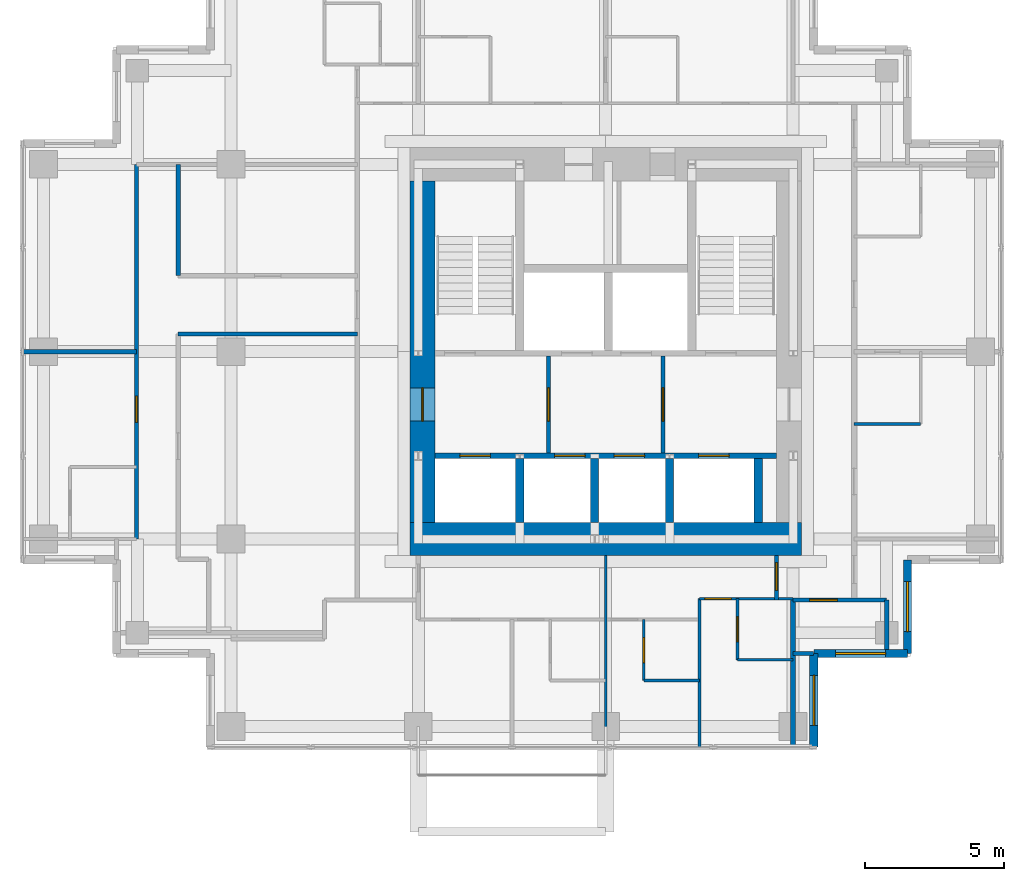
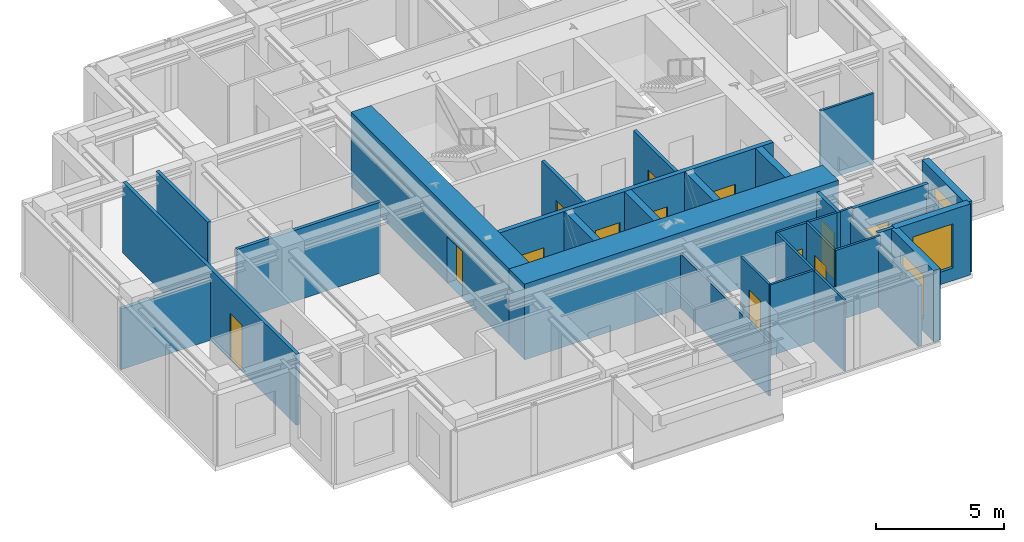
# One storey, part 4 of 7: 29 walls, 13 doors, 3 windows, 16 openings.
"""IFC4 building model written with IfcOpenShell, lengths in metres."""

from ifc_helpers import new_model, si_unit, direction, frame, frame_2d, origin, place, context, subcontext, project, spatial, rectangle, extrude, material, layer, layer_set, type_object, element, fill, save


model = new_model("IFC4")

# Units and contexts
model_context = context("Model", 3, precision=1e-05, world=origin(), true_north=direction((0.0, 1.0)))
body_context = subcontext(model_context, "Body", "Model", "MODEL_VIEW")
ifc_project = project(units=[si_unit("LENGTHUNIT", "METRE"), si_unit("AREAUNIT", "SQUARE_METRE"), si_unit("VOLUMEUNIT", "CUBIC_METRE"), si_unit("PLANEANGLEUNIT", "RADIAN"), si_unit("MASSUNIT", "GRAM", prefix="KILO")], contexts=[model_context])

# Site, building, storey
site_placement = place(None, origin())
site = spatial("IfcSite", under=ifc_project, at=site_placement, CompositionType="ELEMENT")
building_placement = place(site_placement, origin())
building = spatial("IfcBuilding", under=site, at=building_placement, Name="Nyansa Garden Tower", CompositionType="ELEMENT")
storey_placement = place(building_placement, frame((0.0, 0.0, 236.699951171875)))
storey = spatial("IfcBuildingStorey", under=building, at=storey_placement, Name="L64", CompositionType="ELEMENT", Elevation=236.699951171875)

# Wall
ifc_material_1 = material(Name="Dense blockwork, plastered both sides, 55 dB", Category="masonry")
ifc_layer_1 = layer(ifc_material_1, 0.175048828125)
ifc_layer_set_1 = layer_set([ifc_layer_1], Name="Acoustic party wall PW175")
wall_type_1 = type_object("IfcWallType", Name="Acoustic party wall PW175", PredefinedType="PARTITIONING", material=ifc_layer_set_1)
wall_1_placement = place(storey_placement, frame((27.0, 6.01611328125, 0.0), z_axis=(0.0, 0.0, 1.0), x_axis=(0.0, 1.0, 0.0)))
element("IfcWall", 1, at=wall_1_placement, inside=storey, type_object=wall_type_1, Name="Party wall", PredefinedType="PARTITIONING", context=body_context, shape_type="SweptSolid", body=[
    extrude(rectangle(XDim=5.333984375, YDim=0.175048828125, at=frame_2d((2.6669921875, 0.0))), origin(), (0.0, 0.0, 1.0), 2.876953125),
])

# Wall, openings, doors
ifc_material_2 = material(Name="Concrete C70/85", Category="concrete")
ifc_layer_2 = layer(ifc_material_2, 0.199951171875)
ifc_layer_set_2 = layer_set([ifc_layer_2], Name="Core inner wall CI200")
wall_type_2 = type_object("IfcWallType", Name="Core inner wall CI200", PredefinedType="SHEAR", material=ifc_layer_set_2)
wall_2_placement = place(storey_placement, frame((14.10009765625, 16.5, 0.0), z_axis=(0.0, 0.0, 1.0), x_axis=(1.0, 0.0, 0.0)))
wall_2 = element("IfcWall", 2, at=wall_2_placement, inside=storey, type_object=wall_type_2, Name="Core inner wall L64", PredefinedType="SHEAR", context=body_context, shape_type="SweptSolid", body=[
    extrude(rectangle(XDim=12.2998046875, YDim=0.199951171875, at=frame_2d((6.14990234375, 0.0))), origin(), (0.0, 0.0, 1.0), 3.60009765625),
])
opening_1_placement = place(wall_2_placement, frame((0.89990234375, 0.0, 0.0)))
opening_1 = element("IfcOpeningElement", 3, at=opening_1_placement, cuts=wall_2, Name="Opening LD-F", PredefinedType="OPENING", context=body_context, shape_type="SweptSolid", body=[
    extrude(rectangle(XDim=1.10009765625, YDim=2.199951171875, at=frame_2d((0.550048828125, 1.10009765625))), frame((0.0, 0.10986328125, 0.0), z_axis=(0.0, -1.0, 0.0), x_axis=(1.0, 0.0, 0.0)), (0.0, 0.0, 1.0), 0.219970703125),
])
opening_2_placement = place(wall_2_placement, frame((4.31005859375, 0.0, 0.0)))
opening_2 = element("IfcOpeningElement", 4, at=opening_2_placement, cuts=wall_2, Name="Opening LD-B", PredefinedType="OPENING", context=body_context, shape_type="SweptSolid", body=[
    extrude(rectangle(XDim=1.10009765625, YDim=2.199951171875, at=frame_2d((0.550048828125, 1.10009765625))), frame((0.0, 0.10986328125, 0.0), z_axis=(0.0, -1.0, 0.0), x_axis=(1.0, 0.0, 0.0)), (0.0, 0.0, 1.0), 0.219970703125),
])
opening_3_placement = place(wall_2_placement, frame((6.449951171875, 0.0, 0.0)))
opening_3 = element("IfcOpeningElement", 5, at=opening_3_placement, cuts=wall_2, Name="Opening LD-B", PredefinedType="OPENING", context=body_context, shape_type="SweptSolid", body=[
    extrude(rectangle(XDim=1.10009765625, YDim=2.199951171875, at=frame_2d((0.550048828125, 1.10009765625))), frame((0.0, 0.10986328125, 0.0), z_axis=(0.0, -1.0, 0.0), x_axis=(1.0, 0.0, 0.0)), (0.0, 0.0, 1.0), 0.219970703125),
])
opening_4_placement = place(wall_2_placement, frame((9.5, 0.0, 0.0)))
opening_4 = element("IfcOpeningElement", 6, at=opening_4_placement, cuts=wall_2, Name="Opening LD-F", PredefinedType="OPENING", context=body_context, shape_type="SweptSolid", body=[
    extrude(rectangle(XDim=1.10009765625, YDim=2.199951171875, at=frame_2d((0.550048828125, 1.10009765625))), frame((0.0, 0.10986328125, 0.0), z_axis=(0.0, -1.0, 0.0), x_axis=(1.0, 0.0, 0.0)), (0.0, 0.0, 1.0), 0.219970703125),
])
ifc_material_3 = material(Name="Stainless steel centre-opening landing door of the high-rise lift, E 120", Category="steel")
door_type_1 = type_object("IfcDoorType", Name="Lift landing door LD-B 1100x2200", OperationType="DOUBLE_DOOR_SLIDING", PredefinedType="DOOR", material=ifc_material_3)
door_1_placement = place(opening_2_placement, origin())
door_1 = element("IfcDoor", 7, at=door_1_placement, inside=storey, type_object=door_type_1, Name="Landing door B1", OperationType="DOUBLE_DOOR_SLIDING", OverallHeight=2.199951171875, OverallWidth=1.10009765625, PredefinedType="DOOR", context=body_context, shape_type="SweptSolid", body=[
    extrude(rectangle(XDim=1.10009765625, YDim=2.199951171875, at=frame_2d((0.550048828125, 1.10009765625))), frame((0.0, 0.02490234375, 0.0), z_axis=(0.0, -1.0, 0.0), x_axis=(1.0, 0.0, 0.0)), (0.0, 0.0, 1.0), 0.050048828125),
])
fill(opening_2, door_1)
door_2_placement = place(opening_3_placement, origin())
door_2 = element("IfcDoor", 8, at=door_2_placement, inside=storey, type_object=door_type_1, Name="Landing door B2", OperationType="DOUBLE_DOOR_SLIDING", OverallHeight=2.199951171875, OverallWidth=1.10009765625, PredefinedType="DOOR", context=body_context, shape_type="SweptSolid", body=[
    extrude(rectangle(XDim=1.10009765625, YDim=2.199951171875, at=frame_2d((0.550048828125, 1.10009765625))), frame((0.0, 0.02490234375, 0.0), z_axis=(0.0, -1.0, 0.0), x_axis=(1.0, 0.0, 0.0)), (0.0, 0.0, 1.0), 0.050048828125),
])
fill(opening_3, door_2)
ifc_material_4 = material(Name="Stainless steel centre-opening landing door of the firefighting lift, EN 81-72, E 120", Category="steel")
door_type_2 = type_object("IfcDoorType", Name="Lift landing door LD-F 1100x2200", OperationType="DOUBLE_DOOR_SLIDING", PredefinedType="DOOR", material=ifc_material_4)
door_3_placement = place(opening_1_placement, origin())
door_3 = element("IfcDoor", 9, at=door_3_placement, inside=storey, type_object=door_type_2, Name="Landing door FF1", OperationType="DOUBLE_DOOR_SLIDING", OverallHeight=2.199951171875, OverallWidth=1.10009765625, PredefinedType="DOOR", context=body_context, shape_type="SweptSolid", body=[
    extrude(rectangle(XDim=1.10009765625, YDim=2.199951171875, at=frame_2d((0.550048828125, 1.10009765625))), frame((0.0, 0.02490234375, 0.0), z_axis=(0.0, -1.0, 0.0), x_axis=(1.0, 0.0, 0.0)), (0.0, 0.0, 1.0), 0.050048828125),
])
fill(opening_1, door_3)
door_4_placement = place(opening_4_placement, origin())
door_4 = element("IfcDoor", 10, at=door_4_placement, inside=storey, type_object=door_type_2, Name="Landing door FF2", OperationType="DOUBLE_DOOR_SLIDING", OverallHeight=2.199951171875, OverallWidth=1.10009765625, PredefinedType="DOOR", context=body_context, shape_type="SweptSolid", body=[
    extrude(rectangle(XDim=1.10009765625, YDim=2.199951171875, at=frame_2d((0.550048828125, 1.10009765625))), frame((0.0, 0.02490234375, 0.0), z_axis=(0.0, -1.0, 0.0), x_axis=(1.0, 0.0, 0.0)), (0.0, 0.0, 1.0), 0.050048828125),
])
fill(opening_4, door_4)

# Walls
ifc_material_5 = material(Name="Concrete C70/85", Category="concrete")
ifc_layer_3 = layer(ifc_material_5, 0.300048828125)
ifc_layer_set_3 = layer_set([ifc_layer_3], Name="Core inner wall CI300")
wall_type_3 = type_object("IfcWallType", Name="Core inner wall CI300", PredefinedType="SHEAR", material=ifc_layer_set_3)
for number, where, z_axis, x_axis, name in (
    (11, (17.14990234375, 14.10009765625, 0.0), (0.0, 0.0, 1.0), (0.0, 1.0, 0.0), "Core inner wall L64"),
    (12, (19.85009765625, 14.10009765625, 0.0), (0.0, 0.0, 1.0), (0.0, 1.0, 0.0), "Core inner wall L64"),
    (13, (22.550048828125, 14.10009765625, 0.0), (0.0, 0.0, 1.0), (0.0, 1.0, 0.0), "Core inner wall L64"),
    (14, (25.75, 14.10009765625, 0.0), (0.0, 0.0, 1.0), (0.0, 1.0, 0.0), "Core inner wall L64"),
):
    element("IfcWall", number, at=place(storey_placement, frame(where, z_axis=z_axis, x_axis=x_axis)), inside=storey, type_object=wall_type_3, Name=name, PredefinedType="SHEAR", context=body_context, shape_type="SweptSolid", body=[
        extrude(rectangle(XDim=2.2998046875, YDim=0.300048828125, at=frame_2d((1.14990234375, 0.0))), origin(), (0.0, 0.0, 1.0), 3.60009765625),
    ])
ifc_material_6 = material(Name="Concrete C80/95", Category="concrete")
ifc_layer_4 = layer(ifc_material_6, 1.199951171875)
ifc_layer_set_4 = layer_set([ifc_layer_4], Name="Core wall CW1200")
wall_type_4 = type_object("IfcWallType", Name="Core wall CW1200", PredefinedType="SHEAR", material=ifc_layer_set_4)
wall_3_placement = place(storey_placement, frame((13.199951171875, 13.5, 0.0), z_axis=(0.0, 0.0, 1.0), x_axis=(1.0, 0.0, 0.0)))
element("IfcWall", 15, at=wall_3_placement, inside=storey, type_object=wall_type_4, Name="Core wall S L64", PredefinedType="SHEAR", context=body_context, shape_type="SweptSolid", body=[
    extrude(rectangle(XDim=14.10009765625, YDim=1.199951171875, at=frame_2d((7.050048828125, 0.0))), origin(), (0.0, 0.0, 1.0), 3.60009765625),
])

# Wall, opening, door
ifc_material_7 = material(Name="Concrete C80/95", Category="concrete")
ifc_layer_5 = layer(ifc_material_7, 0.89990234375)
ifc_layer_set_5 = layer_set([ifc_layer_5], Name="Core wall CW900")
wall_type_5 = type_object("IfcWallType", Name="Core wall CW900", PredefinedType="SHEAR", material=ifc_layer_set_5)
wall_4_placement = place(storey_placement, frame((13.64990234375, 26.39990234375, 0.0), z_axis=(0.0, 0.0, 1.0), x_axis=(0.0, -1.0, 0.0)))
wall_4 = element("IfcWall", 16, at=wall_4_placement, inside=storey, type_object=wall_type_5, Name="Core wall W L64", PredefinedType="SHEAR", context=body_context, shape_type="SweptSolid", body=[
    extrude(rectangle(XDim=12.2998046875, YDim=0.89990234375, at=frame_2d((6.14990234375, 0.0))), origin(), (0.0, 0.0, 1.0), 3.60009765625),
])
opening_5_placement = place(wall_4_placement, frame((7.449951171875, 0.0, 0.0)))
opening_5 = element("IfcOpeningElement", 17, at=opening_5_placement, cuts=wall_4, Name="Opening D06", PredefinedType="OPENING", context=body_context, shape_type="SweptSolid", body=[
    extrude(rectangle(XDim=1.199951171875, YDim=2.199951171875, at=frame_2d((0.60009765625, 1.10009765625))), frame((0.0, 0.4599609375, 0.0), z_axis=(0.0, -1.0, 0.0), x_axis=(1.0, 0.0, 0.0)), (0.0, 0.0, 1.0), 0.919921875),
])
ifc_material_8 = material(Name="Steel door, 120 minute fire resisting", Category="steel")
door_type_3 = type_object("IfcDoorType", Name="Lobby door D06 1200x2200", OperationType="DOUBLE_DOOR_SINGLE_SWING", PredefinedType="DOOR", material=ifc_material_8)
door_5_placement = place(opening_5_placement, origin())
door_5 = element("IfcDoor", 18, at=door_5_placement, inside=storey, type_object=door_type_3, Name="Lift lobby door west", OperationType="DOUBLE_DOOR_SINGLE_SWING", OverallHeight=2.199951171875, OverallWidth=1.199951171875, PredefinedType="DOOR", context=body_context, shape_type="SweptSolid", body=[
    extrude(rectangle(XDim=1.199951171875, YDim=2.199951171875, at=frame_2d((0.60009765625, 1.10009765625))), frame((0.0, 0.02490234375, 0.0), z_axis=(0.0, -1.0, 0.0), x_axis=(1.0, 0.0, 0.0)), (0.0, 0.0, 1.0), 0.050048828125),
])
fill(opening_5, door_5)

ifc_material_9 = material(Name="Blockwork, plastered both sides", Category="masonry")
ifc_layer_6 = layer(ifc_material_9, 0.14990234375)
ifc_layer_set_6 = layer_set([ifc_layer_6], Name="Partition PW150")
wall_type_6 = type_object("IfcWallType", Name="Partition PW150", PredefinedType="PARTITIONING", material=ifc_layer_set_6)
wall_5_placement = place(storey_placement, frame((18.18505859375, 16.60009765625, 0.0), z_axis=(0.0, 0.0, 1.0), x_axis=(0.0, 1.0, 0.0)))
wall_5 = element("IfcWall", 19, at=wall_5_placement, inside=storey, type_object=wall_type_6, Name="Partition", PredefinedType="PARTITIONING", context=body_context, shape_type="SweptSolid", body=[
    extrude(rectangle(XDim=3.5, YDim=0.14990234375, at=frame_2d((1.75, 0.0))), origin(), (0.0, 0.0, 1.0), 3.375),
])
opening_6_placement = place(wall_5_placement, frame((1.14990234375, 0.0, 0.0)))
opening_6 = element("IfcOpeningElement", 20, at=opening_6_placement, cuts=wall_5, Name="Opening D06", PredefinedType="OPENING", context=body_context, shape_type="SweptSolid", body=[
    extrude(rectangle(XDim=1.199951171875, YDim=2.199951171875, at=frame_2d((0.60009765625, 1.10009765625))), frame((0.0, 0.0849609375, 0.0), z_axis=(0.0, -1.0, 0.0), x_axis=(1.0, 0.0, 0.0)), (0.0, 0.0, 1.0), 0.169921875),
])
door_6_placement = place(opening_6_placement, origin())
door_6 = element("IfcDoor", 21, at=door_6_placement, inside=storey, type_object=door_type_3, Name="Passenger lift lobby door", OperationType="DOUBLE_DOOR_SINGLE_SWING", OverallHeight=2.199951171875, OverallWidth=1.199951171875, PredefinedType="DOOR", context=body_context, shape_type="SweptSolid", body=[
    extrude(rectangle(XDim=1.199951171875, YDim=2.199951171875, at=frame_2d((0.60009765625, 1.10009765625))), frame((0.0, 0.02490234375, 0.0), z_axis=(0.0, -1.0, 0.0), x_axis=(1.0, 0.0, 0.0)), (0.0, 0.0, 1.0), 0.050048828125),
])
fill(opening_6, door_6)

wall_6_placement = place(storey_placement, frame((22.31494140625, 16.60009765625, 0.0), z_axis=(0.0, 0.0, 1.0), x_axis=(0.0, 1.0, 0.0)))
wall_6 = element("IfcWall", 22, at=wall_6_placement, inside=storey, type_object=wall_type_6, Name="Partition", PredefinedType="PARTITIONING", context=body_context, shape_type="SweptSolid", body=[
    extrude(rectangle(XDim=3.5, YDim=0.14990234375, at=frame_2d((1.75, 0.0))), origin(), (0.0, 0.0, 1.0), 3.375),
])
opening_7_placement = place(wall_6_placement, frame((1.14990234375, 0.0, 0.0)))
opening_7 = element("IfcOpeningElement", 23, at=opening_7_placement, cuts=wall_6, Name="Opening D06", PredefinedType="OPENING", context=body_context, shape_type="SweptSolid", body=[
    extrude(rectangle(XDim=1.199951171875, YDim=2.199951171875, at=frame_2d((0.60009765625, 1.10009765625))), frame((0.0, 0.0849609375, 0.0), z_axis=(0.0, -1.0, 0.0), x_axis=(1.0, 0.0, 0.0)), (0.0, 0.0, 1.0), 0.169921875),
])
door_7_placement = place(opening_7_placement, origin())
door_7 = element("IfcDoor", 24, at=door_7_placement, inside=storey, type_object=door_type_3, Name="Passenger lift lobby door", OperationType="DOUBLE_DOOR_SINGLE_SWING", OverallHeight=2.199951171875, OverallWidth=1.199951171875, PredefinedType="DOOR", context=body_context, shape_type="SweptSolid", body=[
    extrude(rectangle(XDim=1.199951171875, YDim=2.199951171875, at=frame_2d((0.60009765625, 1.10009765625))), frame((0.0, 0.02490234375, 0.0), z_axis=(0.0, -1.0, 0.0), x_axis=(1.0, 0.0, 0.0)), (0.0, 0.0, 1.0), 0.050048828125),
])
fill(opening_7, door_7)

# Wall
wall_7_placement = place(storey_placement, frame((-0.73388671875, 20.25, 0.0), z_axis=(0.0, 0.0, 1.0), x_axis=(1.0, 0.0, 0.0)))
element("IfcWall", 25, at=wall_7_placement, inside=storey, type_object=wall_type_6, Name="Partition", PredefinedType="PARTITIONING", context=body_context, shape_type="SweptSolid", body=[
    extrude(rectangle(XDim=4.083984375, YDim=0.14990234375, at=frame_2d((2.0419921875, 0.0))), origin(), (0.0, 0.0, 1.0), 2.876953125),
])

# Wall, opening, door
wall_8_placement = place(storey_placement, frame((3.35009765625, 13.5, 0.0), z_axis=(0.0, 0.0, 1.0), x_axis=(0.0, 1.0, 0.0)))
wall_8 = element("IfcWall", 26, at=wall_8_placement, inside=storey, type_object=wall_type_6, Name="Partition", PredefinedType="PARTITIONING", context=body_context, shape_type="SweptSolid", body=[
    extrude(rectangle(XDim=13.5, YDim=0.14990234375, at=frame_2d((6.75, 0.0))), origin(), (0.0, 0.0, 1.0), 3.375),
])
opening_8_placement = place(wall_8_placement, frame((4.199951171875, 0.0, 0.0)))
opening_8 = element("IfcOpeningElement", 27, at=opening_8_placement, cuts=wall_8, Name="Opening D14", PredefinedType="OPENING", context=body_context, shape_type="SweptSolid", body=[
    extrude(rectangle(XDim=0.949951171875, YDim=2.199951171875, at=frame_2d((0.47509765625, 1.10009765625))), frame((0.0, 0.0849609375, 0.0), z_axis=(0.0, -1.0, 0.0), x_axis=(1.0, 0.0, 0.0)), (0.0, 0.0, 1.0), 0.169921875),
])
ifc_material_10 = material(Name="Timber flush door, 60 minute fire resisting, self-closing", Category="wood")
door_type_4 = type_object("IfcDoorType", Name="Studio entrance door D14 950x2200", OperationType="SINGLE_SWING_LEFT", PredefinedType="DOOR", material=ifc_material_10)
door_8_placement = place(opening_8_placement, origin())
door_8 = element("IfcDoor", 28, at=door_8_placement, inside=storey, type_object=door_type_4, Name="Door L64-041", OperationType="SINGLE_SWING_LEFT", OverallHeight=2.199951171875, OverallWidth=0.949951171875, PredefinedType="DOOR", context=body_context, shape_type="SweptSolid", body=[
    extrude(rectangle(XDim=0.949951171875, YDim=2.199951171875, at=frame_2d((0.47509765625, 1.10009765625))), frame((0.0, 0.02490234375, 0.0), z_axis=(0.0, -1.0, 0.0), x_axis=(1.0, 0.0, 0.0)), (0.0, 0.0, 1.0), 0.050048828125),
])
fill(opening_8, door_8)

# Walls
wall_9_placement = place(storey_placement, frame((4.85009765625, 20.886962890625, 0.0), z_axis=(0.0, 0.0, 1.0), x_axis=(1.0, 0.0, 0.0)))
element("IfcWall", 29, at=wall_9_placement, inside=storey, type_object=wall_type_6, Name="Partition", PredefinedType="PARTITIONING", context=body_context, shape_type="SweptSolid", body=[
    extrude(rectangle(XDim=6.449951171875, YDim=0.14990234375, at=frame_2d((3.22509765625, 0.0))), origin(), (0.0, 0.0, 1.0), 3.375),
])
wall_10_placement = place(storey_placement, frame((4.85009765625, 22.987548828125, 0.0), z_axis=(0.0, 0.0, 1.0), x_axis=(0.0, 1.0, 0.0)))
element("IfcWall", 30, at=wall_10_placement, inside=storey, type_object=wall_type_6, Name="Partition", PredefinedType="PARTITIONING", context=body_context, shape_type="SweptSolid", body=[
    extrude(rectangle(XDim=4.012451171875, YDim=0.14990234375, at=frame_2d((2.00634765625, 0.0))), origin(), (0.0, 0.0, 1.0), 3.375),
])

# Wall, opening, door
wall_11_placement = place(storey_placement, frame((26.39990234375, 11.300048828125, 0.0), z_axis=(0.0, 0.0, 1.0), x_axis=(0.0, 1.0, 0.0)))
wall_11 = element("IfcWall", 31, at=wall_11_placement, inside=storey, type_object=wall_type_6, Name="Partition", PredefinedType="PARTITIONING", context=body_context, shape_type="SweptSolid", body=[
    extrude(rectangle(XDim=1.599853515625, YDim=0.14990234375, at=frame_2d((0.7998046875, 0.0))), origin(), (0.0, 0.0, 1.0), 3.375),
])
opening_9_placement = place(wall_11_placement, frame((0.35009765625, 0.0, 0.0)))
opening_9 = element("IfcOpeningElement", 32, at=opening_9_placement, cuts=wall_11, Name="Opening D03", PredefinedType="OPENING", context=body_context, shape_type="SweptSolid", body=[
    extrude(rectangle(XDim=1.0, YDim=2.199951171875, at=frame_2d((0.5, 1.10009765625))), frame((0.0, 0.0849609375, 0.0), z_axis=(0.0, -1.0, 0.0), x_axis=(1.0, 0.0, 0.0)), (0.0, 0.0, 1.0), 0.169921875),
])
ifc_material_11 = material(Name="Timber flush door, 60 minute fire resisting", Category="wood")
door_type_5 = type_object("IfcDoorType", Name="Cluster entrance door D03 1000x2200", OperationType="SINGLE_SWING_LEFT", PredefinedType="DOOR", material=ifc_material_11)
door_9_placement = place(opening_9_placement, origin())
door_9 = element("IfcDoor", 33, at=door_9_placement, inside=storey, type_object=door_type_5, Name="Door L64-025", OperationType="SINGLE_SWING_LEFT", OverallHeight=2.199951171875, OverallWidth=1.0, PredefinedType="DOOR", context=body_context, shape_type="SweptSolid", body=[
    extrude(rectangle(XDim=1.0, YDim=2.199951171875, at=frame_2d((0.5, 1.10009765625))), frame((0.0, 0.02490234375, 0.0), z_axis=(0.0, -1.0, 0.0), x_axis=(1.0, 0.0, 0.0)), (0.0, 0.0, 1.0), 0.050048828125),
])
fill(opening_9, door_9)

wall_12_placement = place(storey_placement, frame((27.0, 11.300048828125, 0.0), z_axis=(0.0, 0.0, 1.0), x_axis=(1.0, 0.0, 0.0)))
wall_12 = element("IfcWall", 34, at=wall_12_placement, inside=storey, type_object=wall_type_6, Name="Partition", PredefinedType="PARTITIONING", context=body_context, shape_type="SweptSolid", body=[
    extrude(rectangle(XDim=3.375, YDim=0.14990234375, at=frame_2d((1.6875, 0.0))), origin(), (0.0, 0.0, 1.0), 3.375),
])
opening_10_placement = place(wall_12_placement, frame((0.60009765625, 0.0, 0.0)))
opening_10 = element("IfcOpeningElement", 35, at=opening_10_placement, cuts=wall_12, Name="Opening D03", PredefinedType="OPENING", context=body_context, shape_type="SweptSolid", body=[
    extrude(rectangle(XDim=1.0, YDim=2.199951171875, at=frame_2d((0.5, 1.10009765625))), frame((0.0, 0.0849609375, 0.0), z_axis=(0.0, -1.0, 0.0), x_axis=(1.0, 0.0, 0.0)), (0.0, 0.0, 1.0), 0.169921875),
])
door_10_placement = place(opening_10_placement, origin())
door_10 = element("IfcDoor", 36, at=door_10_placement, inside=storey, type_object=door_type_5, Name="Door L64-024", OperationType="SINGLE_SWING_LEFT", OverallHeight=2.199951171875, OverallWidth=1.0, PredefinedType="DOOR", context=body_context, shape_type="SweptSolid", body=[
    extrude(rectangle(XDim=1.0, YDim=2.199951171875, at=frame_2d((0.5, 1.10009765625))), frame((0.0, 0.02490234375, 0.0), z_axis=(0.0, -1.0, 0.0), x_axis=(1.0, 0.0, 0.0)), (0.0, 0.0, 1.0), 0.050048828125),
])
fill(opening_10, door_10)

# Walls
wall_13_placement = place(storey_placement, frame((27.0, 9.375, 0.0), z_axis=(0.0, 0.0, 1.0), x_axis=(1.0, 0.0, 0.0)))
element("IfcWall", 37, at=wall_13_placement, inside=storey, type_object=wall_type_6, Name="Partition", PredefinedType="PARTITIONING", context=body_context, shape_type="SweptSolid", body=[
    extrude(rectangle(XDim=0.73388671875, YDim=0.14990234375, at=frame_2d((0.366943359375, 0.0))), origin(), (0.0, 0.0, 1.0), 3.375),
])
wall_14_placement = place(storey_placement, frame((30.375, 9.52490234375, 0.0), z_axis=(0.0, 0.0, 1.0), x_axis=(0.0, 1.0, 0.0)))
element("IfcWall", 38, at=wall_14_placement, inside=storey, type_object=wall_type_6, Name="Partition", PredefinedType="PARTITIONING", context=body_context, shape_type="SweptSolid", body=[
    extrude(rectangle(XDim=1.775146484375, YDim=0.14990234375, at=frame_2d((0.8876953125, 0.0))), origin(), (0.0, 0.0, 1.0), 2.876953125),
])

# Wall, opening, window
ifc_material_12 = material(Name="Turquoise glazed tile on concrete blockwork", Category="masonry")
ifc_layer_7 = layer(ifc_material_12, 0.300048828125)
ifc_layer_set_7 = layer_set([ifc_layer_7], Name="Tiled corner wall TW300")
wall_type_7 = type_object("IfcWallType", Name="Tiled corner wall TW300", PredefinedType="SOLIDWALL", material=ifc_layer_set_7)
wall_15_placement = place(storey_placement, frame((27.75, 6.0, 0.0), z_axis=(0.0, 0.0, 1.0), x_axis=(0.0, 1.0, 0.0)))
wall_15 = element("IfcWall", 39, at=wall_15_placement, inside=storey, type_object=wall_type_7, Name="Tiled corner wall L64", PredefinedType="SOLIDWALL", context=body_context, shape_type="SweptSolid", body=[
    extrude(rectangle(XDim=3.375, YDim=0.300048828125, at=frame_2d((1.6875, 0.0))), origin(), (0.0, 0.0, 1.0), 3.375),
])
opening_11_placement = place(wall_15_placement, frame((0.78759765625, 0.0, 0.60009765625)))
opening_11 = element("IfcOpeningElement", 40, at=opening_11_placement, cuts=wall_15, Name="Opening W2", PredefinedType="OPENING", context=body_context, shape_type="SweptSolid", body=[
    extrude(rectangle(XDim=1.800048828125, YDim=2.10009765625, at=frame_2d((0.89990234375, 1.050048828125))), frame((0.0, 0.159912109375, 0.0), z_axis=(0.0, -1.0, 0.0), x_axis=(1.0, 0.0, 0.0)), (0.0, 0.0, 1.0), 0.320068359375),
])
ifc_material_13 = material(Name="Black aluminium frame, dark tinted double glazing", Category="aluminium")
window_type = type_object("IfcWindowType", Name="Window W2 1800x2100", PartitioningType="SINGLE_PANEL", PredefinedType="WINDOW", material=ifc_material_13)
window_1_placement = place(opening_11_placement, origin())
window_1 = element("IfcWindow", 41, at=window_1_placement, inside=storey, type_object=window_type, Name="Corner window L64", OverallHeight=2.10009765625, OverallWidth=1.800048828125, PartitioningType="SINGLE_PANEL", PredefinedType="WINDOW", context=body_context, shape_type="SweptSolid", body=[
    extrude(rectangle(XDim=1.800048828125, YDim=2.10009765625, at=frame_2d((0.89990234375, 1.050048828125))), frame((0.0, 0.030029296875, 0.0), z_axis=(0.0, -1.0, 0.0), x_axis=(1.0, 0.0, 0.0)), (0.0, 0.0, 1.0), 0.06005859375),
])
fill(opening_11, window_1)

wall_16_placement = place(storey_placement, frame((27.75, 9.375, 0.0), z_axis=(0.0, 0.0, 1.0), x_axis=(1.0, 0.0, 0.0)))
wall_16 = element("IfcWall", 42, at=wall_16_placement, inside=storey, type_object=wall_type_7, Name="Tiled corner wall L64", PredefinedType="SOLIDWALL", context=body_context, shape_type="SweptSolid", body=[
    extrude(rectangle(XDim=3.375, YDim=0.300048828125, at=frame_2d((1.6875, 0.0))), origin(), (0.0, 0.0, 1.0), 3.375),
])
opening_12_placement = place(wall_16_placement, frame((0.78759765625, 0.0, 0.60009765625)))
opening_12 = element("IfcOpeningElement", 43, at=opening_12_placement, cuts=wall_16, Name="Opening W2", PredefinedType="OPENING", context=body_context, shape_type="SweptSolid", body=[
    extrude(rectangle(XDim=1.800048828125, YDim=2.10009765625, at=frame_2d((0.89990234375, 1.050048828125))), frame((0.0, 0.159912109375, 0.0), z_axis=(0.0, -1.0, 0.0), x_axis=(1.0, 0.0, 0.0)), (0.0, 0.0, 1.0), 0.320068359375),
])
window_2_placement = place(opening_12_placement, origin())
window_2 = element("IfcWindow", 44, at=window_2_placement, inside=storey, type_object=window_type, Name="Corner window L64", OverallHeight=2.10009765625, OverallWidth=1.800048828125, PartitioningType="SINGLE_PANEL", PredefinedType="WINDOW", context=body_context, shape_type="SweptSolid", body=[
    extrude(rectangle(XDim=1.800048828125, YDim=2.10009765625, at=frame_2d((0.89990234375, 1.050048828125))), frame((0.0, 0.030029296875, 0.0), z_axis=(0.0, -1.0, 0.0), x_axis=(1.0, 0.0, 0.0)), (0.0, 0.0, 1.0), 0.06005859375),
])
fill(opening_12, window_2)

wall_17_placement = place(storey_placement, frame((31.125, 9.375, 0.0), z_axis=(0.0, 0.0, 1.0), x_axis=(0.0, 1.0, 0.0)))
wall_17 = element("IfcWall", 45, at=wall_17_placement, inside=storey, type_object=wall_type_7, Name="Tiled corner wall L64", PredefinedType="SOLIDWALL", context=body_context, shape_type="SweptSolid", body=[
    extrude(rectangle(XDim=3.375, YDim=0.300048828125, at=frame_2d((1.6875, 0.0))), origin(), (0.0, 0.0, 1.0), 3.375),
])
opening_13_placement = place(wall_17_placement, frame((0.78759765625, 0.0, 0.60009765625)))
opening_13 = element("IfcOpeningElement", 46, at=opening_13_placement, cuts=wall_17, Name="Opening W2", PredefinedType="OPENING", context=body_context, shape_type="SweptSolid", body=[
    extrude(rectangle(XDim=1.800048828125, YDim=2.10009765625, at=frame_2d((0.89990234375, 1.050048828125))), frame((0.0, 0.159912109375, 0.0), z_axis=(0.0, -1.0, 0.0), x_axis=(1.0, 0.0, 0.0)), (0.0, 0.0, 1.0), 0.320068359375),
])
window_3_placement = place(opening_13_placement, origin())
window_3 = element("IfcWindow", 47, at=window_3_placement, inside=storey, type_object=window_type, Name="Corner window L64", OverallHeight=2.10009765625, OverallWidth=1.800048828125, PartitioningType="SINGLE_PANEL", PredefinedType="WINDOW", context=body_context, shape_type="SweptSolid", body=[
    extrude(rectangle(XDim=1.800048828125, YDim=2.10009765625, at=frame_2d((0.89990234375, 1.050048828125))), frame((0.0, 0.030029296875, 0.0), z_axis=(0.0, -1.0, 0.0), x_axis=(1.0, 0.0, 0.0)), (0.0, 0.0, 1.0), 0.06005859375),
])
fill(opening_13, window_3)

# Wall
ifc_material_14 = material(Name="Moisture resistant board on steel studs, tiled", Category="steel")
ifc_layer_8 = layer(ifc_material_14, 0.10009765625)
ifc_layer_set_8 = layer_set([ifc_layer_8], Name="Wet wall PW100")
wall_type_8 = type_object("IfcWallType", Name="Wet wall PW100", PredefinedType="PARTITIONING", material=ifc_layer_set_8)
wall_18_placement = place(storey_placement, frame((20.25, 6.01611328125, 0.0), z_axis=(0.0, 0.0, 1.0), x_axis=(0.0, 1.0, 0.0)))
element("IfcWall", 48, at=wall_18_placement, inside=storey, type_object=wall_type_8, Name="Wet wall", PredefinedType="PARTITIONING", context=body_context, shape_type="SweptSolid", body=[
    extrude(rectangle(XDim=6.8837890625, YDim=0.10009765625, at=frame_2d((3.44189453125, 0.0))), origin(), (0.0, 0.0, 1.0), 2.610107421875),
])

# Wall, opening, door
wall_19_placement = place(storey_placement, frame((21.625, 8.39990234375, 0.0), z_axis=(0.0, 0.0, 1.0), x_axis=(0.0, 1.0, 0.0)))
wall_19 = element("IfcWall", 49, at=wall_19_placement, inside=storey, type_object=wall_type_8, Name="Wet wall", PredefinedType="PARTITIONING", context=body_context, shape_type="SweptSolid", body=[
    extrude(rectangle(XDim=2.2001953125, YDim=0.10009765625, at=frame_2d((1.10009765625, 0.0))), origin(), (0.0, 0.0, 1.0), 3.375),
])
opening_14_placement = place(wall_19_placement, frame((0.64990234375, 0.0, 0.0)))
opening_14 = element("IfcOpeningElement", 50, at=opening_14_placement, cuts=wall_19, Name="Opening D02", PredefinedType="OPENING", context=body_context, shape_type="SweptSolid", body=[
    extrude(rectangle(XDim=0.89990234375, YDim=2.199951171875, at=frame_2d((0.449951171875, 1.10009765625))), frame((0.0, 0.06005859375, 0.0), z_axis=(0.0, -1.0, 0.0), x_axis=(1.0, 0.0, 0.0)), (0.0, 0.0, 1.0), 0.1201171875),
])
ifc_material_15 = material(Name="Timber flush door", Category="wood")
door_type_6 = type_object("IfcDoorType", Name="En-suite door D02 900x2200", OperationType="SINGLE_SWING_RIGHT", PredefinedType="DOOR", material=ifc_material_15)
door_11_placement = place(opening_14_placement, origin())
door_11 = element("IfcDoor", 51, at=door_11_placement, inside=storey, type_object=door_type_6, Name="Door L64-021", OperationType="SINGLE_SWING_RIGHT", OverallHeight=2.199951171875, OverallWidth=0.89990234375, PredefinedType="DOOR", context=body_context, shape_type="SweptSolid", body=[
    extrude(rectangle(XDim=0.89990234375, YDim=2.199951171875, at=frame_2d((0.449951171875, 1.10009765625))), frame((0.0, 0.02490234375, 0.0), z_axis=(0.0, -1.0, 0.0), x_axis=(1.0, 0.0, 0.0)), (0.0, 0.0, 1.0), 0.050048828125),
])
fill(opening_14, door_11)

# Walls
wall_20_placement = place(storey_placement, frame((21.625, 8.39990234375, 0.0), z_axis=(0.0, 0.0, 1.0), x_axis=(1.0, 0.0, 0.0)))
element("IfcWall", 52, at=wall_20_placement, inside=storey, type_object=wall_type_8, Name="Wet wall", PredefinedType="PARTITIONING", context=body_context, shape_type="SweptSolid", body=[
    extrude(rectangle(XDim=2.0, YDim=0.10009765625, at=frame_2d((1.0, 0.0))), origin(), (0.0, 0.0, 1.0), 3.375),
])
wall_21_placement = place(storey_placement, frame((23.625, 6.01611328125, 0.0), z_axis=(0.0, 0.0, 1.0), x_axis=(0.0, 1.0, 0.0)))
element("IfcWall", 53, at=wall_21_placement, inside=storey, type_object=wall_type_8, Name="Wet wall", PredefinedType="PARTITIONING", context=body_context, shape_type="SweptSolid", body=[
    extrude(rectangle(XDim=5.333984375, YDim=0.10009765625, at=frame_2d((2.6669921875, 0.0))), origin(), (0.0, 0.0, 1.0), 3.375),
])

# Wall, opening, door
wall_22_placement = place(storey_placement, frame((23.625, 11.35009765625, 0.0), z_axis=(0.0, 0.0, 1.0), x_axis=(1.0, 0.0, 0.0)))
wall_22 = element("IfcWall", 54, at=wall_22_placement, inside=storey, type_object=wall_type_8, Name="Wet wall", PredefinedType="PARTITIONING", context=body_context, shape_type="SweptSolid", body=[
    extrude(rectangle(XDim=3.375, YDim=0.10009765625, at=frame_2d((1.6875, 0.0))), origin(), (0.0, 0.0, 1.0), 3.375),
])
opening_15_placement = place(wall_22_placement, frame((0.199951171875, 0.0, 0.0)))
opening_15 = element("IfcOpeningElement", 55, at=opening_15_placement, cuts=wall_22, Name="Opening D14", PredefinedType="OPENING", context=body_context, shape_type="SweptSolid", body=[
    extrude(rectangle(XDim=0.949951171875, YDim=2.199951171875, at=frame_2d((0.47509765625, 1.10009765625))), frame((0.0, 0.06005859375, 0.0), z_axis=(0.0, -1.0, 0.0), x_axis=(1.0, 0.0, 0.0)), (0.0, 0.0, 1.0), 0.1201171875),
])
door_12_placement = place(opening_15_placement, origin())
door_12 = element("IfcDoor", 56, at=door_12_placement, inside=storey, type_object=door_type_4, Name="Door L64-022", OperationType="SINGLE_SWING_LEFT", OverallHeight=2.199951171875, OverallWidth=0.949951171875, PredefinedType="DOOR", context=body_context, shape_type="SweptSolid", body=[
    extrude(rectangle(XDim=0.949951171875, YDim=2.199951171875, at=frame_2d((0.47509765625, 1.10009765625))), frame((0.0, 0.02490234375, 0.0), z_axis=(0.0, -1.0, 0.0), x_axis=(1.0, 0.0, 0.0)), (0.0, 0.0, 1.0), 0.050048828125),
])
fill(opening_15, door_12)

wall_23_placement = place(storey_placement, frame((25.0, 9.14990234375, 0.0), z_axis=(0.0, 0.0, 1.0), x_axis=(0.0, 1.0, 0.0)))
wall_23 = element("IfcWall", 57, at=wall_23_placement, inside=storey, type_object=wall_type_8, Name="Wet wall", PredefinedType="PARTITIONING", context=body_context, shape_type="SweptSolid", body=[
    extrude(rectangle(XDim=2.2001953125, YDim=0.10009765625, at=frame_2d((1.10009765625, 0.0))), origin(), (0.0, 0.0, 1.0), 3.375),
])
opening_16_placement = place(wall_23_placement, frame((0.64990234375, 0.0, 0.0)))
opening_16 = element("IfcOpeningElement", 58, at=opening_16_placement, cuts=wall_23, Name="Opening D02", PredefinedType="OPENING", context=body_context, shape_type="SweptSolid", body=[
    extrude(rectangle(XDim=0.89990234375, YDim=2.199951171875, at=frame_2d((0.449951171875, 1.10009765625))), frame((0.0, 0.06005859375, 0.0), z_axis=(0.0, -1.0, 0.0), x_axis=(1.0, 0.0, 0.0)), (0.0, 0.0, 1.0), 0.1201171875),
])
door_13_placement = place(opening_16_placement, origin())
door_13 = element("IfcDoor", 59, at=door_13_placement, inside=storey, type_object=door_type_6, Name="Door L64-023", OperationType="SINGLE_SWING_RIGHT", OverallHeight=2.199951171875, OverallWidth=0.89990234375, PredefinedType="DOOR", context=body_context, shape_type="SweptSolid", body=[
    extrude(rectangle(XDim=0.89990234375, YDim=2.199951171875, at=frame_2d((0.449951171875, 1.10009765625))), frame((0.0, 0.02490234375, 0.0), z_axis=(0.0, -1.0, 0.0), x_axis=(1.0, 0.0, 0.0)), (0.0, 0.0, 1.0), 0.050048828125),
])
fill(opening_16, door_13)

# Walls
wall_24_placement = place(storey_placement, frame((25.0, 9.14990234375, 0.0), z_axis=(0.0, 0.0, 1.0), x_axis=(1.0, 0.0, 0.0)))
element("IfcWall", 60, at=wall_24_placement, inside=storey, type_object=wall_type_8, Name="Wet wall", PredefinedType="PARTITIONING", context=body_context, shape_type="SweptSolid", body=[
    extrude(rectangle(XDim=2.0, YDim=0.10009765625, at=frame_2d((1.0, 0.0))), origin(), (0.0, 0.0, 1.0), 3.375),
])
wall_25_placement = place(storey_placement, frame((29.199951171875, 17.64990234375, 0.0), z_axis=(0.0, 0.0, 1.0), x_axis=(1.0, 0.0, 0.0)))
element("IfcWall", 61, at=wall_25_placement, inside=storey, type_object=wall_type_8, Name="Wet wall", PredefinedType="PARTITIONING", context=body_context, shape_type="SweptSolid", body=[
    extrude(rectangle(XDim=2.400146484375, YDim=0.10009765625, at=frame_2d((1.2001953125, 0.0))), origin(), (0.0, 0.0, 1.0), 3.375),
])

save(model, "model.ifc")
